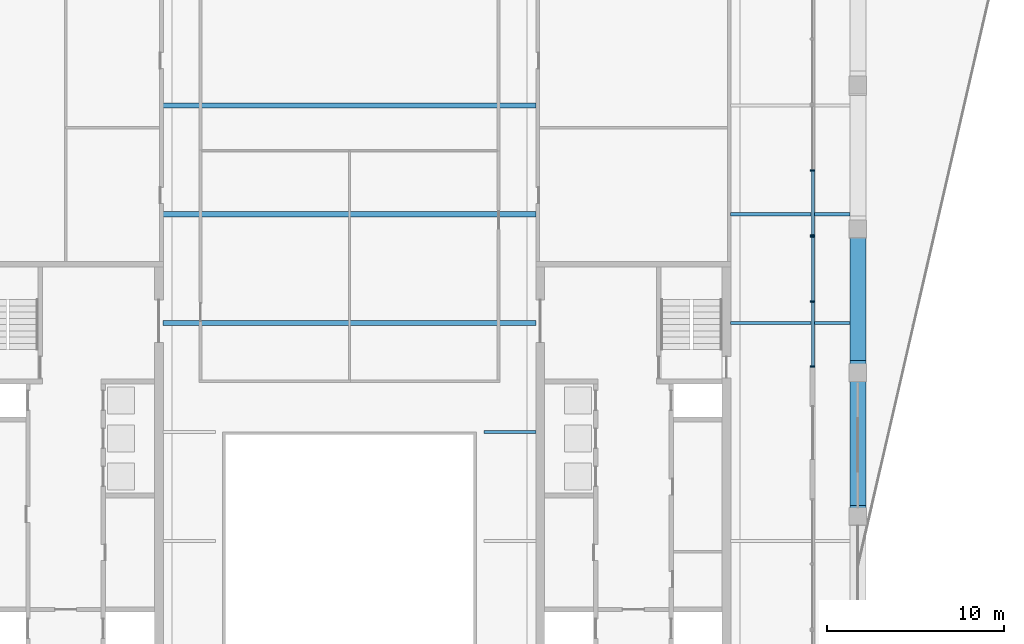
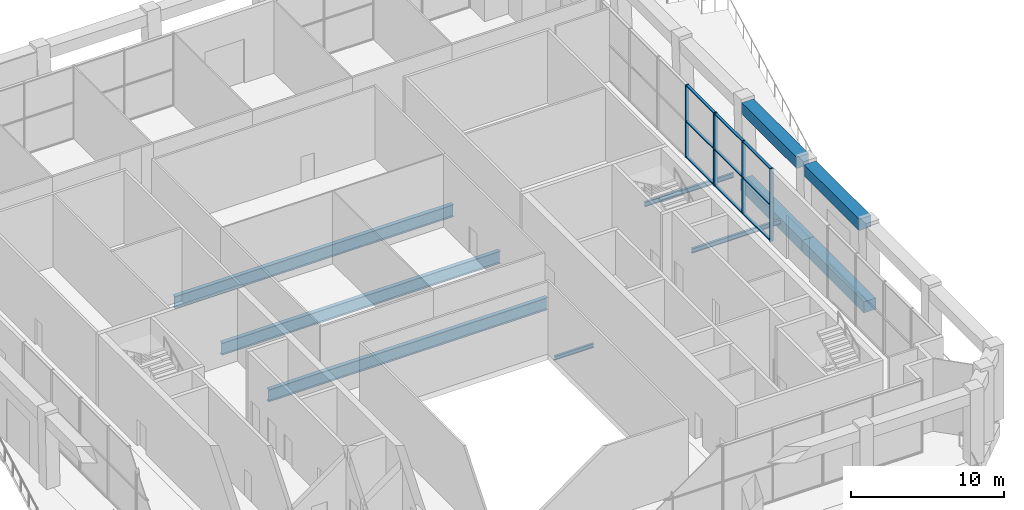
# One storey, part 5 of 20: 14 members, 10 beams, 2 elements without a shape of their own.
"""IFC4 building model written with IfcOpenShell, lengths in metres."""

from ifc_helpers import new_model, si_unit, direction, frame, origin, origin_2d, place, context, subcontext, project, spatial, rectangle, i_section, extrude, material, material_profile, profile_set, type_object, element, aggregate, save


model = new_model("IFC4")

# Units and contexts
model_context = context("Model", 3, precision=1e-05, world=origin(), true_north=direction((0.0, 1.0)))
body_context = subcontext(model_context, "Body", "Model", "MODEL_VIEW")
ifc_project = project(units=[si_unit("LENGTHUNIT", "METRE"), si_unit("AREAUNIT", "SQUARE_METRE"), si_unit("VOLUMEUNIT", "CUBIC_METRE"), si_unit("PLANEANGLEUNIT", "RADIAN"), si_unit("MASSUNIT", "GRAM", prefix="KILO")], contexts=[model_context])

# Site, building, storey
site_placement = place(None, origin())
site = spatial("IfcSite", under=ifc_project, at=site_placement, CompositionType="ELEMENT")
building_placement = place(site_placement, origin())
building = spatial("IfcBuilding", under=site, at=building_placement, Name="Ogive Exchange Tower", CompositionType="ELEMENT")
storey_placement = place(building_placement, frame((0.0, 0.0, 303.0)))
storey = spatial("IfcBuildingStorey", under=building, at=storey_placement, Name="L66", CompositionType="ELEMENT", Elevation=303.0)

# Beams
ifc_material_1 = material(Name="Steel ASTM A992 Gr50", Category="steel")
ifc_material_profile_1 = material_profile(ifc_material_1, i_section(OverallWidth=0.300048828125, OverallDepth=0.97998046875, WebThickness=0.0166015625, FlangeThickness=0.026123046875, at=origin_2d()), Name="W1000x249")
ifc_profile_set_1 = profile_set([ifc_material_profile_1], Name="Steel ASTM A992 Gr50")
beam_type_1 = type_object("IfcBeamType", Name="Floor beam W1000x249", PredefinedType="JOIST", material=ifc_profile_set_1)
for number, where, z_axis, x_axis, name in (
    (1, (-10.52001953125, 22.288818359375, -0.93994140625), (1.0, 0.0, 0.0), (0.0, 1.0, 0.0), "Floor beam"),
    (2, (-10.52001953125, 28.422607421875, -0.93994140625), (1.0, 0.0, 0.0), (0.0, 1.0, 0.0), "Floor beam"),
    (3, (-10.52001953125, 34.55615234375, -0.93994140625), (1.0, 0.0, 0.0), (0.0, 1.0, 0.0), "Floor beam"),
):
    element("IfcBeam", number, at=place(storey_placement, frame(where, z_axis=z_axis, x_axis=x_axis)), inside=storey, type_object=beam_type_1, Name=name, PredefinedType="JOIST", context=body_context, shape_type="SweptSolid", body=[
        extrude(i_section(OverallWidth=0.300048828125, OverallDepth=0.97998046875, WebThickness=0.0166015625, FlangeThickness=0.026123046875, at=origin_2d()), origin(), (0.0, 0.0, 1.0), 21.0400390625),
    ])
ifc_material_profile_2 = material_profile(ifc_material_1, i_section(OverallWidth=0.1708984375, OverallDepth=0.35595703125, WebThickness=0.00732421875, FlangeThickness=0.01171875, at=origin_2d()), Name="W360x51")
ifc_profile_set_2 = profile_set([ifc_material_profile_2], Name="Steel ASTM A992 Gr50")
beam_type_2 = type_object("IfcBeamType", Name="Floor beam W360x51", PredefinedType="JOIST", material=ifc_profile_set_2)
for number, where, z_axis, x_axis, name in (
    (4, (21.47998046875, 22.288818359375, -0.6279296875), (1.0, 0.0, 0.0), (0.0, 1.0, 0.0), "Floor beam"),
    (5, (21.47998046875, 28.422607421875, -0.6279296875), (1.0, 0.0, 0.0), (0.0, 1.0, 0.0), "Floor beam"),
):
    element("IfcBeam", number, at=place(storey_placement, frame(where, z_axis=z_axis, x_axis=x_axis)), inside=storey, type_object=beam_type_2, Name=name, PredefinedType="JOIST", context=body_context, shape_type="SweptSolid", body=[
        extrude(i_section(OverallWidth=0.1708984375, OverallDepth=0.35595703125, WebThickness=0.00732421875, FlangeThickness=0.01171875, at=origin_2d()), origin(), (0.0, 0.0, 1.0), 6.719970703125),
    ])
ifc_material_profile_3 = material_profile(ifc_material_1, i_section(OverallWidth=0.1650390625, OverallDepth=0.31005859375, WebThickness=0.005859375, FlangeThickness=0.009765625, at=origin_2d()), Name="W310x38.7")
ifc_profile_set_3 = profile_set([ifc_material_profile_3], Name="Steel ASTM A992 Gr50")
beam_type_3 = type_object("IfcBeamType", Name="Girder W310x38.7", PredefinedType="BEAM", material=ifc_profile_set_3)
beam_1_placement = place(storey_placement, frame((7.570068359375, 16.155029296875, -0.60498046875), z_axis=(1.0, 0.0, 0.0), x_axis=(0.0, 1.0, 0.0)))
element("IfcBeam", 6, at=beam_1_placement, inside=storey, type_object=beam_type_3, Name="Trimmer girder", PredefinedType="BEAM", context=body_context, shape_type="SweptSolid", body=[
    extrude(i_section(OverallWidth=0.1650390625, OverallDepth=0.31005859375, WebThickness=0.005859375, FlangeThickness=0.009765625, at=origin_2d()), origin(), (0.0, 0.0, 1.0), 2.949951171875),
])
ifc_material_2 = material(Name="Precast concrete C70/85 (limestone faced)", Category="masonry")
ifc_material_profile_4 = material_profile(ifc_material_2, rectangle(XDim=0.89990234375, YDim=0.89990234375, at=origin_2d()), Name="900 x 900")
ifc_profile_set_4 = profile_set([ifc_material_profile_4], Name="Precast concrete C70/85 (limestone faced)")
beam_type_4 = type_object("IfcBeamType", Name="Precast spandrel 900 x 900 C70/85", PredefinedType="SPANDREL", material=ifc_profile_set_4)
for number, where, z_axis, x_axis, name in (
    (7, (28.64990234375, 12.00732421875, 5.300048828125), (0.0, 1.0, 0.0), (-1.0, 0.0, 0.0), "Spandrel 11"),
    (8, (28.64990234375, 20.1708984375, 5.300048828125), (0.0, 1.0, 0.0), (-1.0, 0.0, 0.0), "Spandrel 12"),
):
    element("IfcBeam", number, at=place(storey_placement, frame(where, z_axis=z_axis, x_axis=x_axis)), inside=storey, type_object=beam_type_4, Name=name, PredefinedType="SPANDREL", context=body_context, shape_type="SweptSolid", body=[
        extrude(rectangle(XDim=0.89990234375, YDim=0.89990234375, at=origin_2d()), origin(), (0.0, 0.0, 1.0), 7.20361328125),
    ])
ifc_material_profile_5 = material_profile(ifc_material_2, rectangle(XDim=0.89990234375, YDim=0.89990234375, at=origin_2d()), Name="900 x 900")
ifc_profile_set_5 = profile_set([ifc_material_profile_5], Name="Precast concrete C70/85 (limestone faced)")
beam_type_5 = type_object("IfcBeamType", Name="Precast transfer girder 900 x 900 C70/85", PredefinedType="BEAM", material=ifc_profile_set_5)
beam_2_placement = place(storey_placement, frame((28.64990234375, 11.371337890625, -0.89990234375), z_axis=(0.0, 1.0, 0.0), x_axis=(-1.0, 0.0, 0.0)))
element("IfcBeam", 9, at=beam_2_placement, inside=storey, type_object=beam_type_5, Name="Transfer girder 11", PredefinedType="BEAM", context=body_context, shape_type="SweptSolid", body=[
    extrude(rectangle(XDim=0.89990234375, YDim=0.89990234375, at=origin_2d()), origin(), (0.0, 0.0, 1.0), 8.085693359375),
])
beam_3_placement = place(storey_placement, frame((28.64990234375, 19.45703125, -0.89990234375), z_axis=(0.0, 1.0, 0.0), x_axis=(-1.0, 0.0, 0.0)))
element("IfcBeam", 10, at=beam_3_placement, inside=storey, type_object=beam_type_5, Name="Transfer girder 12", PredefinedType="BEAM", context=body_context, shape_type="SweptSolid", body=[
    extrude(rectangle(XDim=0.89990234375, YDim=0.89990234375, at=origin_2d()), origin(), (0.0, 0.0, 1.0), 8.0859375),
])

# Curtain wall, members
ifc_material_3 = material(Name="Anodised aluminium and clear glass", Category="aluminium")
curtain_wall_type = type_object("IfcCurtainWallType", Name="Winter garden glazing", PredefinedType="NOTDEFINED", material=ifc_material_3)
curtain_wall_1_placement = place(storey_placement, origin())
curtain_wall_1 = element("IfcCurtainWall", 11, at=curtain_wall_1_placement, inside=storey, type_object=curtain_wall_type, Name="Winter garden glazing run G10", PredefinedType="NOTDEFINED")
ifc_material_4 = material(Name="Anodised aluminium", Category="aluminium")
ifc_material_profile_6 = material_profile(ifc_material_4, rectangle(XDim=0.239990234375, YDim=0.080078125, at=origin_2d()), Name="AL 80x240")
ifc_profile_set_6 = profile_set([ifc_material_profile_6], Name="Anodised aluminium")
member_type_1 = type_object("IfcMemberType", Name="Winter garden glazing mullion 80 x 240", PredefinedType="MULLION", material=ifc_profile_set_6)
member_1_placement = place(storey_placement, frame((26.10009765625, 19.840087890625, 0.0), z_axis=(0.0, 0.0, 1.0), x_axis=(-1.0, 0.0, 0.0)))
member_1 = element("IfcMember", 12, at=member_1_placement, type_object=member_type_1, Name="G10 mullion 1", PredefinedType="MULLION", context=body_context, shape_type="SweptSolid", body=[
    extrude(rectangle(XDim=0.239990234375, YDim=0.080078125, at=origin_2d()), origin(), (0.0, 0.0, 1.0), 5.800048828125),
])
member_2_placement = place(storey_placement, frame((26.10009765625, 23.5, 0.0), z_axis=(0.0, 0.0, 1.0), x_axis=(-1.0, 0.0, 0.0)))
member_2 = element("IfcMember", 13, at=member_2_placement, type_object=member_type_1, Name="G10 mullion 2", PredefinedType="MULLION", context=body_context, shape_type="SweptSolid", body=[
    extrude(rectangle(XDim=0.239990234375, YDim=0.080078125, at=origin_2d()), origin(), (0.0, 0.0, 1.0), 5.800048828125),
])
member_3_placement = place(storey_placement, frame((26.10009765625, 27.159912109375, 0.0), z_axis=(0.0, 0.0, 1.0), x_axis=(-1.0, 0.0, 0.0)))
member_3 = element("IfcMember", 14, at=member_3_placement, type_object=member_type_1, Name="G10 mullion 3", PredefinedType="MULLION", context=body_context, shape_type="SweptSolid", body=[
    extrude(rectangle(XDim=0.239990234375, YDim=0.080078125, at=origin_2d()), origin(), (0.0, 0.0, 1.0), 5.800048828125),
])

curtain_wall_2_placement = place(storey_placement, origin())
curtain_wall_2 = element("IfcCurtainWall", 15, at=curtain_wall_2_placement, inside=storey, type_object=curtain_wall_type, Name="Winter garden glazing run G11", PredefinedType="NOTDEFINED")
member_4_placement = place(storey_placement, frame((26.10009765625, 27.239990234375, 0.0), z_axis=(0.0, 0.0, 1.0), x_axis=(-1.0, 0.0, 0.0)))
member_4 = element("IfcMember", 16, at=member_4_placement, type_object=member_type_1, Name="G11 mullion 1", PredefinedType="MULLION", context=body_context, shape_type="SweptSolid", body=[
    extrude(rectangle(XDim=0.239990234375, YDim=0.080078125, at=origin_2d()), origin(), (0.0, 0.0, 1.0), 5.800048828125),
])
member_5_placement = place(storey_placement, frame((26.10009765625, 30.89990234375, 0.0), z_axis=(0.0, 0.0, 1.0), x_axis=(-1.0, 0.0, 0.0)))
member_5 = element("IfcMember", 17, at=member_5_placement, type_object=member_type_1, Name="G11 mullion 2", PredefinedType="MULLION", context=body_context, shape_type="SweptSolid", body=[
    extrude(rectangle(XDim=0.239990234375, YDim=0.080078125, at=origin_2d()), origin(), (0.0, 0.0, 1.0), 5.800048828125),
])

# Member
ifc_material_profile_7 = material_profile(ifc_material_4, rectangle(XDim=0.199951171875, YDim=0.080078125, at=origin_2d()), Name="AL 80x200")
ifc_profile_set_7 = profile_set([ifc_material_profile_7], Name="Anodised aluminium")
member_type_2 = type_object("IfcMemberType", Name="Winter garden glazing transom 80 x 200", PredefinedType="USERDEFINED", material=ifc_profile_set_7)
member_6_placement = place(storey_placement, frame((26.10009765625, 19.8798828125, 0.0400390625), z_axis=(0.0, 1.0, 0.0), x_axis=(-1.0, 0.0, 0.0)))
member_6 = element("IfcMember", 18, at=member_6_placement, type_object=member_type_2, Name="G10 transom 1.1", ObjectType="TRANSOM", PredefinedType="USERDEFINED", context=body_context, shape_type="SweptSolid", body=[
    extrude(rectangle(XDim=0.199951171875, YDim=0.080078125, at=origin_2d()), origin(), (0.0, 0.0, 1.0), 3.580078125),
])

member_7_placement = place(storey_placement, frame((26.10009765625, 19.8798828125, 2.89990234375), z_axis=(0.0, 1.0, 0.0), x_axis=(-1.0, 0.0, 0.0)))
member_7 = element("IfcMember", 19, at=member_7_placement, type_object=member_type_2, Name="G10 transom 1.2", ObjectType="TRANSOM", PredefinedType="USERDEFINED", context=body_context, shape_type="SweptSolid", body=[
    extrude(rectangle(XDim=0.199951171875, YDim=0.080078125, at=origin_2d()), origin(), (0.0, 0.0, 1.0), 3.580078125),
])

member_8_placement = place(storey_placement, frame((26.10009765625, 19.8798828125, 5.760009765625), z_axis=(0.0, 1.0, 0.0), x_axis=(-1.0, 0.0, 0.0)))
member_8 = element("IfcMember", 20, at=member_8_placement, type_object=member_type_2, Name="G10 transom 1.3", ObjectType="TRANSOM", PredefinedType="USERDEFINED", context=body_context, shape_type="SweptSolid", body=[
    extrude(rectangle(XDim=0.199951171875, YDim=0.080078125, at=origin_2d()), origin(), (0.0, 0.0, 1.0), 3.580078125),
])

member_9_placement = place(storey_placement, frame((26.10009765625, 23.5400390625, 0.0400390625), z_axis=(0.0, 1.0, 0.0), x_axis=(-1.0, 0.0, 0.0)))
member_9 = element("IfcMember", 21, at=member_9_placement, type_object=member_type_2, Name="G10 transom 2.1", ObjectType="TRANSOM", PredefinedType="USERDEFINED", context=body_context, shape_type="SweptSolid", body=[
    extrude(rectangle(XDim=0.199951171875, YDim=0.080078125, at=origin_2d()), origin(), (0.0, 0.0, 1.0), 3.580078125),
])

member_10_placement = place(storey_placement, frame((26.10009765625, 23.5400390625, 2.89990234375), z_axis=(0.0, 1.0, 0.0), x_axis=(-1.0, 0.0, 0.0)))
member_10 = element("IfcMember", 22, at=member_10_placement, type_object=member_type_2, Name="G10 transom 2.2", ObjectType="TRANSOM", PredefinedType="USERDEFINED", context=body_context, shape_type="SweptSolid", body=[
    extrude(rectangle(XDim=0.199951171875, YDim=0.080078125, at=origin_2d()), origin(), (0.0, 0.0, 1.0), 3.580078125),
])

member_11_placement = place(storey_placement, frame((26.10009765625, 23.5400390625, 5.760009765625), z_axis=(0.0, 1.0, 0.0), x_axis=(-1.0, 0.0, 0.0)))
member_11 = element("IfcMember", 23, at=member_11_placement, type_object=member_type_2, Name="G10 transom 2.3", ObjectType="TRANSOM", PredefinedType="USERDEFINED", context=body_context, shape_type="SweptSolid", body=[
    extrude(rectangle(XDim=0.199951171875, YDim=0.080078125, at=origin_2d()), origin(), (0.0, 0.0, 1.0), 3.580078125),
])

aggregate(curtain_wall_1, [member_1, member_2, member_3, member_6, member_7, member_8, member_9, member_10, member_11])

member_12_placement = place(storey_placement, frame((26.10009765625, 27.280029296875, 0.0400390625), z_axis=(0.0, 1.0, 0.0), x_axis=(-1.0, 0.0, 0.0)))
member_12 = element("IfcMember", 24, at=member_12_placement, type_object=member_type_2, Name="G11 transom 1.1", ObjectType="TRANSOM", PredefinedType="USERDEFINED", context=body_context, shape_type="SweptSolid", body=[
    extrude(rectangle(XDim=0.199951171875, YDim=0.080078125, at=origin_2d()), origin(), (0.0, 0.0, 1.0), 3.580078125),
])

member_13_placement = place(storey_placement, frame((26.10009765625, 27.280029296875, 2.89990234375), z_axis=(0.0, 1.0, 0.0), x_axis=(-1.0, 0.0, 0.0)))
member_13 = element("IfcMember", 25, at=member_13_placement, type_object=member_type_2, Name="G11 transom 1.2", ObjectType="TRANSOM", PredefinedType="USERDEFINED", context=body_context, shape_type="SweptSolid", body=[
    extrude(rectangle(XDim=0.199951171875, YDim=0.080078125, at=origin_2d()), origin(), (0.0, 0.0, 1.0), 3.580078125),
])

member_14_placement = place(storey_placement, frame((26.10009765625, 27.280029296875, 5.760009765625), z_axis=(0.0, 1.0, 0.0), x_axis=(-1.0, 0.0, 0.0)))
member_14 = element("IfcMember", 26, at=member_14_placement, type_object=member_type_2, Name="G11 transom 1.3", ObjectType="TRANSOM", PredefinedType="USERDEFINED", context=body_context, shape_type="SweptSolid", body=[
    extrude(rectangle(XDim=0.199951171875, YDim=0.080078125, at=origin_2d()), origin(), (0.0, 0.0, 1.0), 3.580078125),
])

aggregate(curtain_wall_2, [member_4, member_5, member_12, member_13, member_14])

save(model, "model.ifc")
